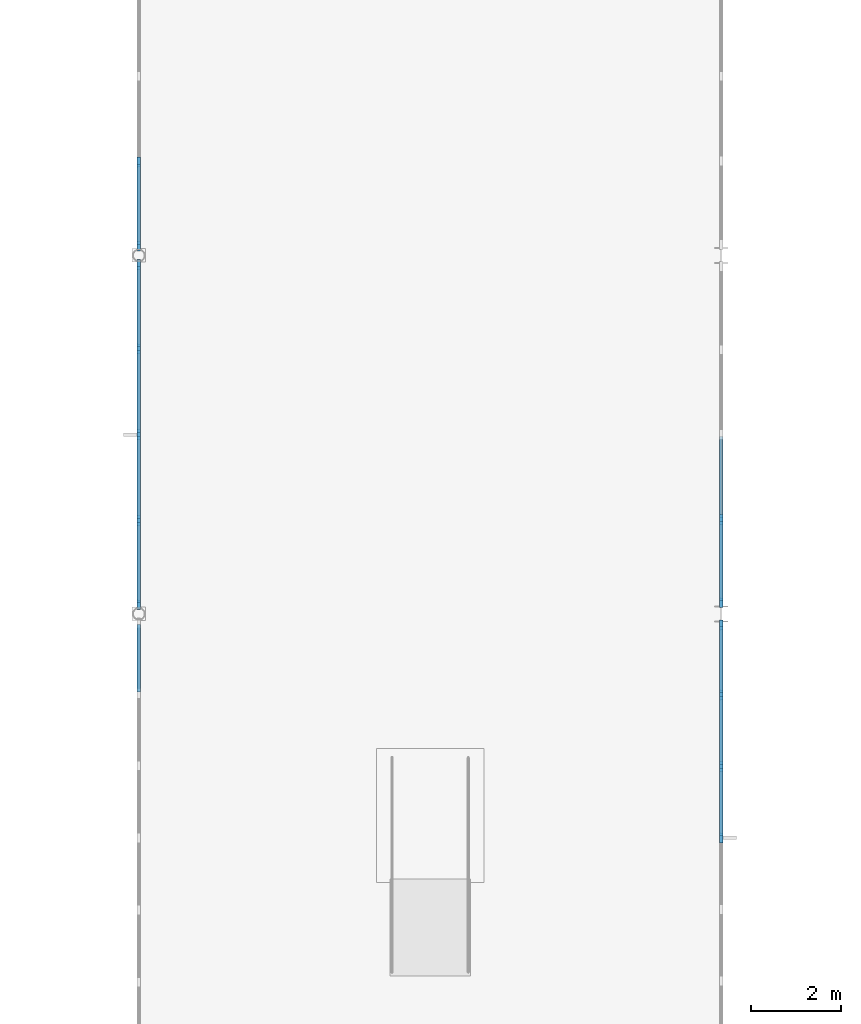
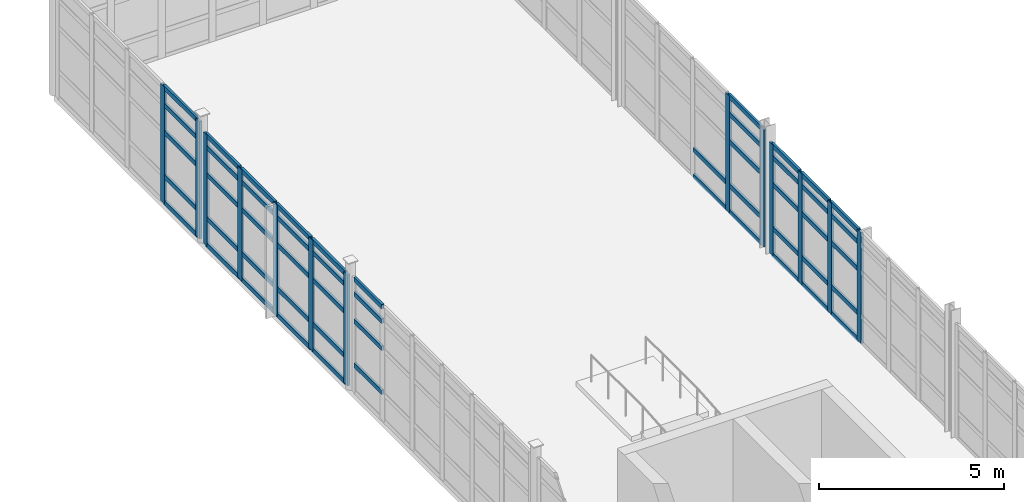
# One storey, part 53 of 122: 64 members, 5 elements without a shape of their own.
"""IFC4 building model written with IfcOpenShell, lengths in metres."""

from ifc_helpers import new_model, si_unit, direction, frame, origin, origin_2d, place, context, subcontext, project, spatial, rectangle, extrude, material, layer, layer_set, material_profile, profile_set, type_object, element, aggregate, save


model = new_model("IFC4")

# Units and contexts
model_context = context("Model", 3, precision=1e-05, world=origin(), true_north=direction((0.0, 1.0)))
body_context = subcontext(model_context, "Body", "Model", "MODEL_VIEW")
ifc_project = project(units=[si_unit("LENGTHUNIT", "METRE"), si_unit("AREAUNIT", "SQUARE_METRE"), si_unit("VOLUMEUNIT", "CUBIC_METRE"), si_unit("PLANEANGLEUNIT", "RADIAN"), si_unit("MASSUNIT", "GRAM", prefix="KILO"), si_unit("THERMODYNAMICTEMPERATUREUNIT", "KELVIN"), si_unit("POWERUNIT", "WATT")], contexts=[model_context])

# Site, building, storey
site_placement = place(None, origin())
site = spatial("IfcSite", under=ifc_project, at=site_placement, CompositionType="ELEMENT")
building_placement = place(site_placement, origin())
building = spatial("IfcBuilding", under=site, at=building_placement, Name="Korenveer Ferry Terminal", CompositionType="ELEMENT")
storey_placement = place(building_placement, frame((0.0, 0.0, 10.199951171875)))
storey = spatial("IfcBuildingStorey", under=building, at=storey_placement, Name="L02", CompositionType="ELEMENT", Elevation=10.199951171875)

# Curtain wall, members
ifc_material_1 = material(Name="Unitised bronze-and-glass curtain wall", Category="glass")
ifc_layer_1 = layer(ifc_material_1, 0.219970703125)
ifc_layer_set_1 = layer_set([ifc_layer_1], Name="Unitised bronze-and-glass curtain wall")
curtain_wall_type_1 = type_object("IfcCurtainWallType", Name="ENV-CW-112", PredefinedType="USERDEFINED", material=ifc_layer_set_1)
curtain_wall_1_placement = place(storey_placement, frame((40.0, 100.16650390625, 0.0)))
curtain_wall_1 = element("IfcCurtainWall", 1, at=curtain_wall_1_placement, inside=storey, type_object=curtain_wall_type_1, Name="Lancet curtain wall CWX-L02-X40-40-Y100-108", ObjectType="UNITISED CURTAIN WALL", PredefinedType="USERDEFINED")
ifc_material_2 = material(Name="Anodised bronze aluminium", Category="aluminium")
ifc_material_profile_1 = material_profile(ifc_material_2, rectangle(XDim=0.074951171875, YDim=0.219970703125, at=origin_2d()), Name="ALU 75x220")
ifc_profile_set_1 = profile_set([ifc_material_profile_1], Name="Anodised bronze aluminium")
member_type_1 = type_object("IfcMemberType", Name="ENV-CWM-75X220", PredefinedType="MULLION", material=ifc_profile_set_1)
member_1_placement = place(storey_placement, frame((40.0, 100.2041015625, 0.0), z_axis=(0.0, 0.0, 1.0), x_axis=(-1.0, 0.0, 0.0)))
member_1 = element("IfcMember", 2, at=member_1_placement, type_object=member_type_1, Name="CW-112 mullion 1", PredefinedType="MULLION", context=body_context, shape_type="SweptSolid", body=[
    extrude(rectangle(XDim=0.074951171875, YDim=0.219970703125, at=origin_2d()), origin(), (0.0, 0.0, 1.0), 3.66015625),
])
member_2_placement = place(storey_placement, frame((40.0, 102.083251953125, 0.0), z_axis=(0.0, 0.0, 1.0), x_axis=(-1.0, 0.0, 0.0)))
member_2 = element("IfcMember", 3, at=member_2_placement, type_object=member_type_1, Name="CW-112 mullion 2", PredefinedType="MULLION", context=body_context, shape_type="SweptSolid", body=[
    extrude(rectangle(XDim=0.074951171875, YDim=0.219970703125, at=origin_2d()), origin(), (0.0, 0.0, 1.0), 3.66015625),
])
member_3_placement = place(storey_placement, frame((40.0, 104.0, 0.0), z_axis=(0.0, 0.0, 1.0), x_axis=(-1.0, 0.0, 0.0)))
member_3 = element("IfcMember", 4, at=member_3_placement, type_object=member_type_1, Name="CW-112 mullion 3", PredefinedType="MULLION", context=body_context, shape_type="SweptSolid", body=[
    extrude(rectangle(XDim=0.074951171875, YDim=0.219970703125, at=origin_2d()), origin(), (0.0, 0.0, 1.0), 3.66015625),
])
member_4_placement = place(storey_placement, frame((40.0, 105.916748046875, 0.0), z_axis=(0.0, 0.0, 1.0), x_axis=(-1.0, 0.0, 0.0)))
member_4 = element("IfcMember", 5, at=member_4_placement, type_object=member_type_1, Name="CW-112 mullion 4", PredefinedType="MULLION", context=body_context, shape_type="SweptSolid", body=[
    extrude(rectangle(XDim=0.074951171875, YDim=0.219970703125, at=origin_2d()), origin(), (0.0, 0.0, 1.0), 3.66015625),
])
member_5_placement = place(storey_placement, frame((40.0, 107.7958984375, 0.0), z_axis=(0.0, 0.0, 1.0), x_axis=(-1.0, 0.0, 0.0)))
member_5 = element("IfcMember", 6, at=member_5_placement, type_object=member_type_1, Name="CW-112 mullion 5", PredefinedType="MULLION", context=body_context, shape_type="SweptSolid", body=[
    extrude(rectangle(XDim=0.074951171875, YDim=0.219970703125, at=origin_2d()), origin(), (0.0, 0.0, 1.0), 3.66015625),
])

ifc_layer_2 = layer(ifc_material_1, 0.219970703125)
ifc_layer_set_2 = layer_set([ifc_layer_2], Name="Unitised bronze-and-glass curtain wall")
curtain_wall_type_2 = type_object("IfcCurtainWallType", Name="ENV-CW-113", PredefinedType="USERDEFINED", material=ifc_layer_set_2)
curtain_wall_2_placement = place(storey_placement, frame((40.0, 108.16650390625, 0.0)))
curtain_wall_2 = element("IfcCurtainWall", 7, at=curtain_wall_2_placement, inside=storey, type_object=curtain_wall_type_2, Name="Lancet curtain wall CWX-L02-X40-40-Y108-116", ObjectType="UNITISED CURTAIN WALL", PredefinedType="USERDEFINED")
member_6_placement = place(storey_placement, frame((40.0, 108.2041015625, 0.0), z_axis=(0.0, 0.0, 1.0), x_axis=(-1.0, 0.0, 0.0)))
member_6 = element("IfcMember", 8, at=member_6_placement, type_object=member_type_1, Name="CW-113 mullion 1", PredefinedType="MULLION", context=body_context, shape_type="SweptSolid", body=[
    extrude(rectangle(XDim=0.074951171875, YDim=0.219970703125, at=origin_2d()), origin(), (0.0, 0.0, 1.0), 3.860107421875),
])
member_7_placement = place(storey_placement, frame((40.0, 110.083251953125, 0.0), z_axis=(0.0, 0.0, 1.0), x_axis=(-1.0, 0.0, 0.0)))
member_7 = element("IfcMember", 9, at=member_7_placement, type_object=member_type_1, Name="CW-113 mullion 2", PredefinedType="MULLION", context=body_context, shape_type="SweptSolid", body=[
    extrude(rectangle(XDim=0.074951171875, YDim=0.219970703125, at=origin_2d()), origin(), (0.0, 0.0, 1.0), 3.860107421875),
])

ifc_layer_3 = layer(ifc_material_1, 0.219970703125)
ifc_layer_set_3 = layer_set([ifc_layer_3], Name="Unitised bronze-and-glass curtain wall")
curtain_wall_type_3 = type_object("IfcCurtainWallType", Name="ENV-CW-115", PredefinedType="USERDEFINED", material=ifc_layer_set_3)
curtain_wall_3_placement = place(storey_placement, frame((53.0, 99.7900390625, 0.0)))
curtain_wall_3 = element("IfcCurtainWall", 10, at=curtain_wall_3_placement, inside=storey, type_object=curtain_wall_type_3, Name="Lancet curtain wall CWX-L02-X53-53-Y90-100", ObjectType="UNITISED CURTAIN WALL", PredefinedType="USERDEFINED")
member_8_placement = place(storey_placement, frame((53.0, 99.75244140625, 0.0), z_axis=(0.0, 0.0, 1.0), x_axis=(1.0, 0.0, 0.0)))
member_8 = element("IfcMember", 11, at=member_8_placement, type_object=member_type_1, Name="CW-115 mullion 1", PredefinedType="MULLION", context=body_context, shape_type="SweptSolid", body=[
    extrude(rectangle(XDim=0.074951171875, YDim=0.219970703125, at=origin_2d()), origin(), (0.0, 0.0, 1.0), 3.66015625),
])
member_9_placement = place(storey_placement, frame((53.0, 98.193359375, 0.0), z_axis=(0.0, 0.0, 1.0), x_axis=(1.0, 0.0, 0.0)))
member_9 = element("IfcMember", 12, at=member_9_placement, type_object=member_type_1, Name="CW-115 mullion 2", PredefinedType="MULLION", context=body_context, shape_type="SweptSolid", body=[
    extrude(rectangle(XDim=0.074951171875, YDim=0.219970703125, at=origin_2d()), origin(), (0.0, 0.0, 1.0), 3.66015625),
])
member_10_placement = place(storey_placement, frame((53.0, 96.5966796875, 0.0), z_axis=(0.0, 0.0, 1.0), x_axis=(1.0, 0.0, 0.0)))
member_10 = element("IfcMember", 13, at=member_10_placement, type_object=member_type_1, Name="CW-115 mullion 3", PredefinedType="MULLION", context=body_context, shape_type="SweptSolid", body=[
    extrude(rectangle(XDim=0.074951171875, YDim=0.219970703125, at=origin_2d()), origin(), (0.0, 0.0, 1.0), 3.66015625),
])
member_11_placement = place(storey_placement, frame((53.0, 95.0, 0.0), z_axis=(0.0, 0.0, 1.0), x_axis=(1.0, 0.0, 0.0)))
member_11 = element("IfcMember", 14, at=member_11_placement, type_object=member_type_1, Name="CW-115 mullion 4", PredefinedType="MULLION", context=body_context, shape_type="SweptSolid", body=[
    extrude(rectangle(XDim=0.074951171875, YDim=0.219970703125, at=origin_2d()), origin(), (0.0, 0.0, 1.0), 3.66015625),
])

ifc_layer_4 = layer(ifc_material_1, 0.219970703125)
ifc_layer_set_4 = layer_set([ifc_layer_4], Name="Unitised bronze-and-glass curtain wall")
curtain_wall_type_4 = type_object("IfcCurtainWallType", Name="ENV-CW-118", PredefinedType="USERDEFINED", material=ifc_layer_set_4)
curtain_wall_4_placement = place(storey_placement, frame((53.0, 107.7900390625, 0.0)))
curtain_wall_4 = element("IfcCurtainWall", 15, at=curtain_wall_4_placement, inside=storey, type_object=curtain_wall_type_4, Name="Lancet curtain wall CWX-L02-X53-53-Y100-108", ObjectType="UNITISED CURTAIN WALL", PredefinedType="USERDEFINED")
member_12_placement = place(storey_placement, frame((53.0, 102.10498046875, 0.0), z_axis=(0.0, 0.0, 1.0), x_axis=(1.0, 0.0, 0.0)))
member_12 = element("IfcMember", 16, at=member_12_placement, type_object=member_type_1, Name="CW-118 mullion 4", PredefinedType="MULLION", context=body_context, shape_type="SweptSolid", body=[
    extrude(rectangle(XDim=0.074951171875, YDim=0.219970703125, at=origin_2d()), origin(), (0.0, 0.0, 1.0), 3.860107421875),
])
member_13_placement = place(storey_placement, frame((53.0, 100.24755859375, 0.0), z_axis=(0.0, 0.0, 1.0), x_axis=(1.0, 0.0, 0.0)))
member_13 = element("IfcMember", 17, at=member_13_placement, type_object=member_type_1, Name="CW-118 mullion 5", PredefinedType="MULLION", context=body_context, shape_type="SweptSolid", body=[
    extrude(rectangle(XDim=0.074951171875, YDim=0.219970703125, at=origin_2d()), origin(), (0.0, 0.0, 1.0), 3.860107421875),
])

ifc_layer_5 = layer(ifc_material_1, 0.219970703125)
ifc_layer_set_5 = layer_set([ifc_layer_5], Name="Unitised bronze-and-glass curtain wall")
curtain_wall_type_5 = type_object("IfcCurtainWallType", Name="ENV-CW-111", PredefinedType="USERDEFINED", material=ifc_layer_set_5)
curtain_wall_5_placement = place(storey_placement, frame((40.0, 90.16650390625, 0.0)))
curtain_wall_5 = element("IfcCurtainWall", 18, at=curtain_wall_5_placement, inside=storey, type_object=curtain_wall_type_5, Name="Lancet curtain wall CWX-L02-X40-40-Y90-100", ObjectType="UNITISED CURTAIN WALL", PredefinedType="USERDEFINED")
ifc_material_profile_2 = material_profile(ifc_material_2, rectangle(XDim=0.074951171875, YDim=0.14990234375, at=origin_2d()), Name="ALU 75x150")
ifc_profile_set_2 = profile_set([ifc_material_profile_2], Name="Anodised bronze aluminium")
member_type_2 = type_object("IfcMemberType", Name="ENV-CWT-75X150", PredefinedType="USERDEFINED", material=ifc_profile_set_2)
member_14_placement = place(storey_placement, frame((40.0, 98.259765625, 0.900146484375), z_axis=(0.0, 1.0, 0.0), x_axis=(-1.0, 0.0, 0.0)))
member_14 = element("IfcMember", 19, at=member_14_placement, type_object=member_type_2, Name="CW-111 transom 6.2", ObjectType="TRANSOM", PredefinedType="USERDEFINED", context=body_context, shape_type="SweptSolid", body=[
    extrude(rectangle(XDim=0.074951171875, YDim=0.14990234375, at=origin_2d()), origin(), (0.0, 0.0, 1.0), 1.498779296875),
])
member_15_placement = place(storey_placement, frame((40.0, 98.259765625, 2.35009765625), z_axis=(0.0, 1.0, 0.0), x_axis=(-1.0, 0.0, 0.0)))
member_15 = element("IfcMember", 20, at=member_15_placement, type_object=member_type_2, Name="CW-111 transom 6.3", ObjectType="TRANSOM", PredefinedType="USERDEFINED", context=body_context, shape_type="SweptSolid", body=[
    extrude(rectangle(XDim=0.074951171875, YDim=0.14990234375, at=origin_2d()), origin(), (0.0, 0.0, 1.0), 1.498779296875),
])
member_16_placement = place(storey_placement, frame((40.0, 98.259765625, 3.25), z_axis=(0.0, 1.0, 0.0), x_axis=(-1.0, 0.0, 0.0)))
member_16 = element("IfcMember", 21, at=member_16_placement, type_object=member_type_2, Name="CW-111 transom 6.4", ObjectType="TRANSOM", PredefinedType="USERDEFINED", context=body_context, shape_type="SweptSolid", body=[
    extrude(rectangle(XDim=0.074951171875, YDim=0.14990234375, at=origin_2d()), origin(), (0.0, 0.0, 1.0), 1.498779296875),
])
member_17_placement = place(storey_placement, frame((40.0, 98.259765625, 3.72265625), z_axis=(0.0, 1.0, 0.0), x_axis=(-1.0, 0.0, 0.0)))
member_17 = element("IfcMember", 22, at=member_17_placement, type_object=member_type_2, Name="CW-111 transom 6.5", ObjectType="TRANSOM", PredefinedType="USERDEFINED", context=body_context, shape_type="SweptSolid", body=[
    extrude(rectangle(XDim=0.074951171875, YDim=0.14990234375, at=origin_2d()), origin(), (0.0, 0.0, 1.0), 1.498779296875),
])
aggregate(curtain_wall_5, [member_14, member_15, member_16, member_17])

# Member
member_18_placement = place(storey_placement, frame((40.0, 100.241455078125, 0.03759765625), z_axis=(0.0, 1.0, 0.0), x_axis=(-1.0, 0.0, 0.0)))
member_18 = element("IfcMember", 23, at=member_18_placement, type_object=member_type_2, Name="CW-112 transom 1.1", ObjectType="TRANSOM", PredefinedType="USERDEFINED", context=body_context, shape_type="SweptSolid", body=[
    extrude(rectangle(XDim=0.074951171875, YDim=0.14990234375, at=origin_2d()), origin(), (0.0, 0.0, 1.0), 1.80419921875),
])

member_19_placement = place(storey_placement, frame((40.0, 100.241455078125, 0.900146484375), z_axis=(0.0, 1.0, 0.0), x_axis=(-1.0, 0.0, 0.0)))
member_19 = element("IfcMember", 24, at=member_19_placement, type_object=member_type_2, Name="CW-112 transom 1.2", ObjectType="TRANSOM", PredefinedType="USERDEFINED", context=body_context, shape_type="SweptSolid", body=[
    extrude(rectangle(XDim=0.074951171875, YDim=0.14990234375, at=origin_2d()), origin(), (0.0, 0.0, 1.0), 1.80419921875),
])

member_20_placement = place(storey_placement, frame((40.0, 100.241455078125, 2.35009765625), z_axis=(0.0, 1.0, 0.0), x_axis=(-1.0, 0.0, 0.0)))
member_20 = element("IfcMember", 25, at=member_20_placement, type_object=member_type_2, Name="CW-112 transom 1.3", ObjectType="TRANSOM", PredefinedType="USERDEFINED", context=body_context, shape_type="SweptSolid", body=[
    extrude(rectangle(XDim=0.074951171875, YDim=0.14990234375, at=origin_2d()), origin(), (0.0, 0.0, 1.0), 1.80419921875),
])

member_21_placement = place(storey_placement, frame((40.0, 100.241455078125, 3.25), z_axis=(0.0, 1.0, 0.0), x_axis=(-1.0, 0.0, 0.0)))
member_21 = element("IfcMember", 26, at=member_21_placement, type_object=member_type_2, Name="CW-112 transom 1.4", ObjectType="TRANSOM", PredefinedType="USERDEFINED", context=body_context, shape_type="SweptSolid", body=[
    extrude(rectangle(XDim=0.074951171875, YDim=0.14990234375, at=origin_2d()), origin(), (0.0, 0.0, 1.0), 1.80419921875),
])

member_22_placement = place(storey_placement, frame((40.0, 100.241455078125, 3.62255859375), z_axis=(0.0, 1.0, 0.0), x_axis=(-1.0, 0.0, 0.0)))
member_22 = element("IfcMember", 27, at=member_22_placement, type_object=member_type_2, Name="CW-112 transom 1.5", ObjectType="TRANSOM", PredefinedType="USERDEFINED", context=body_context, shape_type="SweptSolid", body=[
    extrude(rectangle(XDim=0.074951171875, YDim=0.14990234375, at=origin_2d()), origin(), (0.0, 0.0, 1.0), 1.80419921875),
])

member_23_placement = place(storey_placement, frame((40.0, 102.120849609375, 0.03759765625), z_axis=(0.0, 1.0, 0.0), x_axis=(-1.0, 0.0, 0.0)))
member_23 = element("IfcMember", 28, at=member_23_placement, type_object=member_type_2, Name="CW-112 transom 2.1", ObjectType="TRANSOM", PredefinedType="USERDEFINED", context=body_context, shape_type="SweptSolid", body=[
    extrude(rectangle(XDim=0.074951171875, YDim=0.14990234375, at=origin_2d()), origin(), (0.0, 0.0, 1.0), 1.841552734375),
])

member_24_placement = place(storey_placement, frame((40.0, 102.120849609375, 0.900146484375), z_axis=(0.0, 1.0, 0.0), x_axis=(-1.0, 0.0, 0.0)))
member_24 = element("IfcMember", 29, at=member_24_placement, type_object=member_type_2, Name="CW-112 transom 2.2", ObjectType="TRANSOM", PredefinedType="USERDEFINED", context=body_context, shape_type="SweptSolid", body=[
    extrude(rectangle(XDim=0.074951171875, YDim=0.14990234375, at=origin_2d()), origin(), (0.0, 0.0, 1.0), 1.841552734375),
])

member_25_placement = place(storey_placement, frame((40.0, 102.120849609375, 2.35009765625), z_axis=(0.0, 1.0, 0.0), x_axis=(-1.0, 0.0, 0.0)))
member_25 = element("IfcMember", 30, at=member_25_placement, type_object=member_type_2, Name="CW-112 transom 2.3", ObjectType="TRANSOM", PredefinedType="USERDEFINED", context=body_context, shape_type="SweptSolid", body=[
    extrude(rectangle(XDim=0.074951171875, YDim=0.14990234375, at=origin_2d()), origin(), (0.0, 0.0, 1.0), 1.841552734375),
])

member_26_placement = place(storey_placement, frame((40.0, 102.120849609375, 3.25), z_axis=(0.0, 1.0, 0.0), x_axis=(-1.0, 0.0, 0.0)))
member_26 = element("IfcMember", 31, at=member_26_placement, type_object=member_type_2, Name="CW-112 transom 2.4", ObjectType="TRANSOM", PredefinedType="USERDEFINED", context=body_context, shape_type="SweptSolid", body=[
    extrude(rectangle(XDim=0.074951171875, YDim=0.14990234375, at=origin_2d()), origin(), (0.0, 0.0, 1.0), 1.841552734375),
])

member_27_placement = place(storey_placement, frame((40.0, 102.120849609375, 3.62255859375), z_axis=(0.0, 1.0, 0.0), x_axis=(-1.0, 0.0, 0.0)))
member_27 = element("IfcMember", 32, at=member_27_placement, type_object=member_type_2, Name="CW-112 transom 2.5", ObjectType="TRANSOM", PredefinedType="USERDEFINED", context=body_context, shape_type="SweptSolid", body=[
    extrude(rectangle(XDim=0.074951171875, YDim=0.14990234375, at=origin_2d()), origin(), (0.0, 0.0, 1.0), 1.841552734375),
])

member_28_placement = place(storey_placement, frame((40.0, 104.03759765625, 0.03759765625), z_axis=(0.0, 1.0, 0.0), x_axis=(-1.0, 0.0, 0.0)))
member_28 = element("IfcMember", 33, at=member_28_placement, type_object=member_type_2, Name="CW-112 transom 3.1", ObjectType="TRANSOM", PredefinedType="USERDEFINED", context=body_context, shape_type="SweptSolid", body=[
    extrude(rectangle(XDim=0.074951171875, YDim=0.14990234375, at=origin_2d()), origin(), (0.0, 0.0, 1.0), 1.841552734375),
])

member_29_placement = place(storey_placement, frame((40.0, 104.03759765625, 0.900146484375), z_axis=(0.0, 1.0, 0.0), x_axis=(-1.0, 0.0, 0.0)))
member_29 = element("IfcMember", 34, at=member_29_placement, type_object=member_type_2, Name="CW-112 transom 3.2", ObjectType="TRANSOM", PredefinedType="USERDEFINED", context=body_context, shape_type="SweptSolid", body=[
    extrude(rectangle(XDim=0.074951171875, YDim=0.14990234375, at=origin_2d()), origin(), (0.0, 0.0, 1.0), 1.841552734375),
])

member_30_placement = place(storey_placement, frame((40.0, 104.03759765625, 2.35009765625), z_axis=(0.0, 1.0, 0.0), x_axis=(-1.0, 0.0, 0.0)))
member_30 = element("IfcMember", 35, at=member_30_placement, type_object=member_type_2, Name="CW-112 transom 3.3", ObjectType="TRANSOM", PredefinedType="USERDEFINED", context=body_context, shape_type="SweptSolid", body=[
    extrude(rectangle(XDim=0.074951171875, YDim=0.14990234375, at=origin_2d()), origin(), (0.0, 0.0, 1.0), 1.841552734375),
])

member_31_placement = place(storey_placement, frame((40.0, 104.03759765625, 3.25), z_axis=(0.0, 1.0, 0.0), x_axis=(-1.0, 0.0, 0.0)))
member_31 = element("IfcMember", 36, at=member_31_placement, type_object=member_type_2, Name="CW-112 transom 3.4", ObjectType="TRANSOM", PredefinedType="USERDEFINED", context=body_context, shape_type="SweptSolid", body=[
    extrude(rectangle(XDim=0.074951171875, YDim=0.14990234375, at=origin_2d()), origin(), (0.0, 0.0, 1.0), 1.841552734375),
])

member_32_placement = place(storey_placement, frame((40.0, 104.03759765625, 3.62255859375), z_axis=(0.0, 1.0, 0.0), x_axis=(-1.0, 0.0, 0.0)))
member_32 = element("IfcMember", 37, at=member_32_placement, type_object=member_type_2, Name="CW-112 transom 3.5", ObjectType="TRANSOM", PredefinedType="USERDEFINED", context=body_context, shape_type="SweptSolid", body=[
    extrude(rectangle(XDim=0.074951171875, YDim=0.14990234375, at=origin_2d()), origin(), (0.0, 0.0, 1.0), 1.841552734375),
])

member_33_placement = place(storey_placement, frame((40.0, 105.954345703125, 0.03759765625), z_axis=(0.0, 1.0, 0.0), x_axis=(-1.0, 0.0, 0.0)))
member_33 = element("IfcMember", 38, at=member_33_placement, type_object=member_type_2, Name="CW-112 transom 4.1", ObjectType="TRANSOM", PredefinedType="USERDEFINED", context=body_context, shape_type="SweptSolid", body=[
    extrude(rectangle(XDim=0.074951171875, YDim=0.14990234375, at=origin_2d()), origin(), (0.0, 0.0, 1.0), 1.80419921875),
])

member_34_placement = place(storey_placement, frame((40.0, 105.954345703125, 0.900146484375), z_axis=(0.0, 1.0, 0.0), x_axis=(-1.0, 0.0, 0.0)))
member_34 = element("IfcMember", 39, at=member_34_placement, type_object=member_type_2, Name="CW-112 transom 4.2", ObjectType="TRANSOM", PredefinedType="USERDEFINED", context=body_context, shape_type="SweptSolid", body=[
    extrude(rectangle(XDim=0.074951171875, YDim=0.14990234375, at=origin_2d()), origin(), (0.0, 0.0, 1.0), 1.80419921875),
])

member_35_placement = place(storey_placement, frame((40.0, 105.954345703125, 2.35009765625), z_axis=(0.0, 1.0, 0.0), x_axis=(-1.0, 0.0, 0.0)))
member_35 = element("IfcMember", 40, at=member_35_placement, type_object=member_type_2, Name="CW-112 transom 4.3", ObjectType="TRANSOM", PredefinedType="USERDEFINED", context=body_context, shape_type="SweptSolid", body=[
    extrude(rectangle(XDim=0.074951171875, YDim=0.14990234375, at=origin_2d()), origin(), (0.0, 0.0, 1.0), 1.80419921875),
])

member_36_placement = place(storey_placement, frame((40.0, 105.954345703125, 3.25), z_axis=(0.0, 1.0, 0.0), x_axis=(-1.0, 0.0, 0.0)))
member_36 = element("IfcMember", 41, at=member_36_placement, type_object=member_type_2, Name="CW-112 transom 4.4", ObjectType="TRANSOM", PredefinedType="USERDEFINED", context=body_context, shape_type="SweptSolid", body=[
    extrude(rectangle(XDim=0.074951171875, YDim=0.14990234375, at=origin_2d()), origin(), (0.0, 0.0, 1.0), 1.80419921875),
])

member_37_placement = place(storey_placement, frame((40.0, 105.954345703125, 3.62255859375), z_axis=(0.0, 1.0, 0.0), x_axis=(-1.0, 0.0, 0.0)))
member_37 = element("IfcMember", 42, at=member_37_placement, type_object=member_type_2, Name="CW-112 transom 4.5", ObjectType="TRANSOM", PredefinedType="USERDEFINED", context=body_context, shape_type="SweptSolid", body=[
    extrude(rectangle(XDim=0.074951171875, YDim=0.14990234375, at=origin_2d()), origin(), (0.0, 0.0, 1.0), 1.80419921875),
])

aggregate(curtain_wall_1, [member_1, member_2, member_3, member_4, member_5, member_18, member_19, member_20, member_21, member_22, member_23, member_24, member_25, member_26, member_27, member_28, member_29, member_30, member_31, member_32, member_33, member_34, member_35, member_36, member_37])

member_38_placement = place(storey_placement, frame((40.0, 108.241455078125, 0.03759765625), z_axis=(0.0, 1.0, 0.0), x_axis=(-1.0, 0.0, 0.0)))
member_38 = element("IfcMember", 43, at=member_38_placement, type_object=member_type_2, Name="CW-113 transom 1.1", ObjectType="TRANSOM", PredefinedType="USERDEFINED", context=body_context, shape_type="SweptSolid", body=[
    extrude(rectangle(XDim=0.074951171875, YDim=0.14990234375, at=origin_2d()), origin(), (0.0, 0.0, 1.0), 1.80419921875),
])

member_39_placement = place(storey_placement, frame((40.0, 108.241455078125, 0.900146484375), z_axis=(0.0, 1.0, 0.0), x_axis=(-1.0, 0.0, 0.0)))
member_39 = element("IfcMember", 44, at=member_39_placement, type_object=member_type_2, Name="CW-113 transom 1.2", ObjectType="TRANSOM", PredefinedType="USERDEFINED", context=body_context, shape_type="SweptSolid", body=[
    extrude(rectangle(XDim=0.074951171875, YDim=0.14990234375, at=origin_2d()), origin(), (0.0, 0.0, 1.0), 1.80419921875),
])

member_40_placement = place(storey_placement, frame((40.0, 108.241455078125, 2.35009765625), z_axis=(0.0, 1.0, 0.0), x_axis=(-1.0, 0.0, 0.0)))
member_40 = element("IfcMember", 45, at=member_40_placement, type_object=member_type_2, Name="CW-113 transom 1.3", ObjectType="TRANSOM", PredefinedType="USERDEFINED", context=body_context, shape_type="SweptSolid", body=[
    extrude(rectangle(XDim=0.074951171875, YDim=0.14990234375, at=origin_2d()), origin(), (0.0, 0.0, 1.0), 1.80419921875),
])

member_41_placement = place(storey_placement, frame((40.0, 108.241455078125, 3.25), z_axis=(0.0, 1.0, 0.0), x_axis=(-1.0, 0.0, 0.0)))
member_41 = element("IfcMember", 46, at=member_41_placement, type_object=member_type_2, Name="CW-113 transom 1.4", ObjectType="TRANSOM", PredefinedType="USERDEFINED", context=body_context, shape_type="SweptSolid", body=[
    extrude(rectangle(XDim=0.074951171875, YDim=0.14990234375, at=origin_2d()), origin(), (0.0, 0.0, 1.0), 1.80419921875),
])

member_42_placement = place(storey_placement, frame((40.0, 108.241455078125, 3.822509765625), z_axis=(0.0, 1.0, 0.0), x_axis=(-1.0, 0.0, 0.0)))
member_42 = element("IfcMember", 47, at=member_42_placement, type_object=member_type_2, Name="CW-113 transom 1.5", ObjectType="TRANSOM", PredefinedType="USERDEFINED", context=body_context, shape_type="SweptSolid", body=[
    extrude(rectangle(XDim=0.074951171875, YDim=0.14990234375, at=origin_2d()), origin(), (0.0, 0.0, 1.0), 1.80419921875),
])

aggregate(curtain_wall_2, [member_6, member_7, member_38, member_39, member_40, member_41, member_42])

member_43_placement = place(storey_placement, frame((53.0, 99.715087890625, 0.03759765625), z_axis=(0.0, -1.0, 0.0), x_axis=(1.0, 0.0, 0.0)))
member_43 = element("IfcMember", 48, at=member_43_placement, type_object=member_type_2, Name="CW-115 transom 1.1", ObjectType="TRANSOM", PredefinedType="USERDEFINED", context=body_context, shape_type="SweptSolid", body=[
    extrude(rectangle(XDim=0.074951171875, YDim=0.14990234375, at=origin_2d()), origin(), (0.0, 0.0, 1.0), 1.484375),
])

member_44_placement = place(storey_placement, frame((53.0, 99.715087890625, 0.900146484375), z_axis=(0.0, -1.0, 0.0), x_axis=(1.0, 0.0, 0.0)))
member_44 = element("IfcMember", 49, at=member_44_placement, type_object=member_type_2, Name="CW-115 transom 1.2", ObjectType="TRANSOM", PredefinedType="USERDEFINED", context=body_context, shape_type="SweptSolid", body=[
    extrude(rectangle(XDim=0.074951171875, YDim=0.14990234375, at=origin_2d()), origin(), (0.0, 0.0, 1.0), 1.484375),
])

member_45_placement = place(storey_placement, frame((53.0, 99.715087890625, 2.35009765625), z_axis=(0.0, -1.0, 0.0), x_axis=(1.0, 0.0, 0.0)))
member_45 = element("IfcMember", 50, at=member_45_placement, type_object=member_type_2, Name="CW-115 transom 1.3", ObjectType="TRANSOM", PredefinedType="USERDEFINED", context=body_context, shape_type="SweptSolid", body=[
    extrude(rectangle(XDim=0.074951171875, YDim=0.14990234375, at=origin_2d()), origin(), (0.0, 0.0, 1.0), 1.484375),
])

member_46_placement = place(storey_placement, frame((53.0, 99.715087890625, 3.25), z_axis=(0.0, -1.0, 0.0), x_axis=(1.0, 0.0, 0.0)))
member_46 = element("IfcMember", 51, at=member_46_placement, type_object=member_type_2, Name="CW-115 transom 1.4", ObjectType="TRANSOM", PredefinedType="USERDEFINED", context=body_context, shape_type="SweptSolid", body=[
    extrude(rectangle(XDim=0.074951171875, YDim=0.14990234375, at=origin_2d()), origin(), (0.0, 0.0, 1.0), 1.484375),
])

member_47_placement = place(storey_placement, frame((53.0, 99.715087890625, 3.62255859375), z_axis=(0.0, -1.0, 0.0), x_axis=(1.0, 0.0, 0.0)))
member_47 = element("IfcMember", 52, at=member_47_placement, type_object=member_type_2, Name="CW-115 transom 1.5", ObjectType="TRANSOM", PredefinedType="USERDEFINED", context=body_context, shape_type="SweptSolid", body=[
    extrude(rectangle(XDim=0.074951171875, YDim=0.14990234375, at=origin_2d()), origin(), (0.0, 0.0, 1.0), 1.484375),
])

member_48_placement = place(storey_placement, frame((53.0, 98.15576171875, 0.03759765625), z_axis=(0.0, -1.0, 0.0), x_axis=(1.0, 0.0, 0.0)))
member_48 = element("IfcMember", 53, at=member_48_placement, type_object=member_type_2, Name="CW-115 transom 2.1", ObjectType="TRANSOM", PredefinedType="USERDEFINED", context=body_context, shape_type="SweptSolid", body=[
    extrude(rectangle(XDim=0.074951171875, YDim=0.14990234375, at=origin_2d()), origin(), (0.0, 0.0, 1.0), 1.521484375),
])

member_49_placement = place(storey_placement, frame((53.0, 98.15576171875, 0.900146484375), z_axis=(0.0, -1.0, 0.0), x_axis=(1.0, 0.0, 0.0)))
member_49 = element("IfcMember", 54, at=member_49_placement, type_object=member_type_2, Name="CW-115 transom 2.2", ObjectType="TRANSOM", PredefinedType="USERDEFINED", context=body_context, shape_type="SweptSolid", body=[
    extrude(rectangle(XDim=0.074951171875, YDim=0.14990234375, at=origin_2d()), origin(), (0.0, 0.0, 1.0), 1.521484375),
])

member_50_placement = place(storey_placement, frame((53.0, 98.15576171875, 2.35009765625), z_axis=(0.0, -1.0, 0.0), x_axis=(1.0, 0.0, 0.0)))
member_50 = element("IfcMember", 55, at=member_50_placement, type_object=member_type_2, Name="CW-115 transom 2.3", ObjectType="TRANSOM", PredefinedType="USERDEFINED", context=body_context, shape_type="SweptSolid", body=[
    extrude(rectangle(XDim=0.074951171875, YDim=0.14990234375, at=origin_2d()), origin(), (0.0, 0.0, 1.0), 1.521484375),
])

member_51_placement = place(storey_placement, frame((53.0, 98.15576171875, 3.25), z_axis=(0.0, -1.0, 0.0), x_axis=(1.0, 0.0, 0.0)))
member_51 = element("IfcMember", 56, at=member_51_placement, type_object=member_type_2, Name="CW-115 transom 2.4", ObjectType="TRANSOM", PredefinedType="USERDEFINED", context=body_context, shape_type="SweptSolid", body=[
    extrude(rectangle(XDim=0.074951171875, YDim=0.14990234375, at=origin_2d()), origin(), (0.0, 0.0, 1.0), 1.521484375),
])

member_52_placement = place(storey_placement, frame((53.0, 98.15576171875, 3.62255859375), z_axis=(0.0, -1.0, 0.0), x_axis=(1.0, 0.0, 0.0)))
member_52 = element("IfcMember", 57, at=member_52_placement, type_object=member_type_2, Name="CW-115 transom 2.5", ObjectType="TRANSOM", PredefinedType="USERDEFINED", context=body_context, shape_type="SweptSolid", body=[
    extrude(rectangle(XDim=0.074951171875, YDim=0.14990234375, at=origin_2d()), origin(), (0.0, 0.0, 1.0), 1.521484375),
])

member_53_placement = place(storey_placement, frame((53.0, 96.55908203125, 0.03759765625), z_axis=(0.0, -1.0, 0.0), x_axis=(1.0, 0.0, 0.0)))
member_53 = element("IfcMember", 58, at=member_53_placement, type_object=member_type_2, Name="CW-115 transom 3.1", ObjectType="TRANSOM", PredefinedType="USERDEFINED", context=body_context, shape_type="SweptSolid", body=[
    extrude(rectangle(XDim=0.074951171875, YDim=0.14990234375, at=origin_2d()), origin(), (0.0, 0.0, 1.0), 1.521484375),
])

member_54_placement = place(storey_placement, frame((53.0, 96.55908203125, 0.900146484375), z_axis=(0.0, -1.0, 0.0), x_axis=(1.0, 0.0, 0.0)))
member_54 = element("IfcMember", 59, at=member_54_placement, type_object=member_type_2, Name="CW-115 transom 3.2", ObjectType="TRANSOM", PredefinedType="USERDEFINED", context=body_context, shape_type="SweptSolid", body=[
    extrude(rectangle(XDim=0.074951171875, YDim=0.14990234375, at=origin_2d()), origin(), (0.0, 0.0, 1.0), 1.521484375),
])

member_55_placement = place(storey_placement, frame((53.0, 96.55908203125, 2.35009765625), z_axis=(0.0, -1.0, 0.0), x_axis=(1.0, 0.0, 0.0)))
member_55 = element("IfcMember", 60, at=member_55_placement, type_object=member_type_2, Name="CW-115 transom 3.3", ObjectType="TRANSOM", PredefinedType="USERDEFINED", context=body_context, shape_type="SweptSolid", body=[
    extrude(rectangle(XDim=0.074951171875, YDim=0.14990234375, at=origin_2d()), origin(), (0.0, 0.0, 1.0), 1.521484375),
])

member_56_placement = place(storey_placement, frame((53.0, 96.55908203125, 3.25), z_axis=(0.0, -1.0, 0.0), x_axis=(1.0, 0.0, 0.0)))
member_56 = element("IfcMember", 61, at=member_56_placement, type_object=member_type_2, Name="CW-115 transom 3.4", ObjectType="TRANSOM", PredefinedType="USERDEFINED", context=body_context, shape_type="SweptSolid", body=[
    extrude(rectangle(XDim=0.074951171875, YDim=0.14990234375, at=origin_2d()), origin(), (0.0, 0.0, 1.0), 1.521484375),
])

member_57_placement = place(storey_placement, frame((53.0, 96.55908203125, 3.62255859375), z_axis=(0.0, -1.0, 0.0), x_axis=(1.0, 0.0, 0.0)))
member_57 = element("IfcMember", 62, at=member_57_placement, type_object=member_type_2, Name="CW-115 transom 3.5", ObjectType="TRANSOM", PredefinedType="USERDEFINED", context=body_context, shape_type="SweptSolid", body=[
    extrude(rectangle(XDim=0.074951171875, YDim=0.14990234375, at=origin_2d()), origin(), (0.0, 0.0, 1.0), 1.521484375),
])

aggregate(curtain_wall_3, [member_8, member_9, member_10, member_11, member_43, member_44, member_45, member_46, member_47, member_48, member_49, member_50, member_51, member_52, member_53, member_54, member_55, member_56, member_57])

member_58_placement = place(storey_placement, frame((53.0, 103.96240234375, 0.03759765625), z_axis=(0.0, -1.0, 0.0), x_axis=(1.0, 0.0, 0.0)))
member_58 = element("IfcMember", 63, at=member_58_placement, type_object=member_type_2, Name="CW-118 transom 3.1", ObjectType="TRANSOM", PredefinedType="USERDEFINED", context=body_context, shape_type="SweptSolid", body=[
    extrude(rectangle(XDim=0.074951171875, YDim=0.14990234375, at=origin_2d()), origin(), (0.0, 0.0, 1.0), 1.81982421875),
])

member_59_placement = place(storey_placement, frame((53.0, 103.96240234375, 0.900146484375), z_axis=(0.0, -1.0, 0.0), x_axis=(1.0, 0.0, 0.0)))
member_59 = element("IfcMember", 64, at=member_59_placement, type_object=member_type_2, Name="CW-118 transom 3.2", ObjectType="TRANSOM", PredefinedType="USERDEFINED", context=body_context, shape_type="SweptSolid", body=[
    extrude(rectangle(XDim=0.074951171875, YDim=0.14990234375, at=origin_2d()), origin(), (0.0, 0.0, 1.0), 1.81982421875),
])

member_60_placement = place(storey_placement, frame((53.0, 102.0673828125, 0.03759765625), z_axis=(0.0, -1.0, 0.0), x_axis=(1.0, 0.0, 0.0)))
member_60 = element("IfcMember", 65, at=member_60_placement, type_object=member_type_2, Name="CW-118 transom 4.1", ObjectType="TRANSOM", PredefinedType="USERDEFINED", context=body_context, shape_type="SweptSolid", body=[
    extrude(rectangle(XDim=0.074951171875, YDim=0.14990234375, at=origin_2d()), origin(), (0.0, 0.0, 1.0), 1.782470703125),
])

member_61_placement = place(storey_placement, frame((53.0, 102.0673828125, 0.900146484375), z_axis=(0.0, -1.0, 0.0), x_axis=(1.0, 0.0, 0.0)))
member_61 = element("IfcMember", 66, at=member_61_placement, type_object=member_type_2, Name="CW-118 transom 4.2", ObjectType="TRANSOM", PredefinedType="USERDEFINED", context=body_context, shape_type="SweptSolid", body=[
    extrude(rectangle(XDim=0.074951171875, YDim=0.14990234375, at=origin_2d()), origin(), (0.0, 0.0, 1.0), 1.782470703125),
])

member_62_placement = place(storey_placement, frame((53.0, 102.0673828125, 2.35009765625), z_axis=(0.0, -1.0, 0.0), x_axis=(1.0, 0.0, 0.0)))
member_62 = element("IfcMember", 67, at=member_62_placement, type_object=member_type_2, Name="CW-118 transom 4.3", ObjectType="TRANSOM", PredefinedType="USERDEFINED", context=body_context, shape_type="SweptSolid", body=[
    extrude(rectangle(XDim=0.074951171875, YDim=0.14990234375, at=origin_2d()), origin(), (0.0, 0.0, 1.0), 1.782470703125),
])

member_63_placement = place(storey_placement, frame((53.0, 102.0673828125, 3.25), z_axis=(0.0, -1.0, 0.0), x_axis=(1.0, 0.0, 0.0)))
member_63 = element("IfcMember", 68, at=member_63_placement, type_object=member_type_2, Name="CW-118 transom 4.4", ObjectType="TRANSOM", PredefinedType="USERDEFINED", context=body_context, shape_type="SweptSolid", body=[
    extrude(rectangle(XDim=0.074951171875, YDim=0.14990234375, at=origin_2d()), origin(), (0.0, 0.0, 1.0), 1.782470703125),
])

member_64_placement = place(storey_placement, frame((53.0, 102.0673828125, 3.822509765625), z_axis=(0.0, -1.0, 0.0), x_axis=(1.0, 0.0, 0.0)))
member_64 = element("IfcMember", 69, at=member_64_placement, type_object=member_type_2, Name="CW-118 transom 4.5", ObjectType="TRANSOM", PredefinedType="USERDEFINED", context=body_context, shape_type="SweptSolid", body=[
    extrude(rectangle(XDim=0.074951171875, YDim=0.14990234375, at=origin_2d()), origin(), (0.0, 0.0, 1.0), 1.782470703125),
])

aggregate(curtain_wall_4, [member_12, member_13, member_58, member_59, member_60, member_61, member_62, member_63, member_64])

save(model, "model.ifc")
